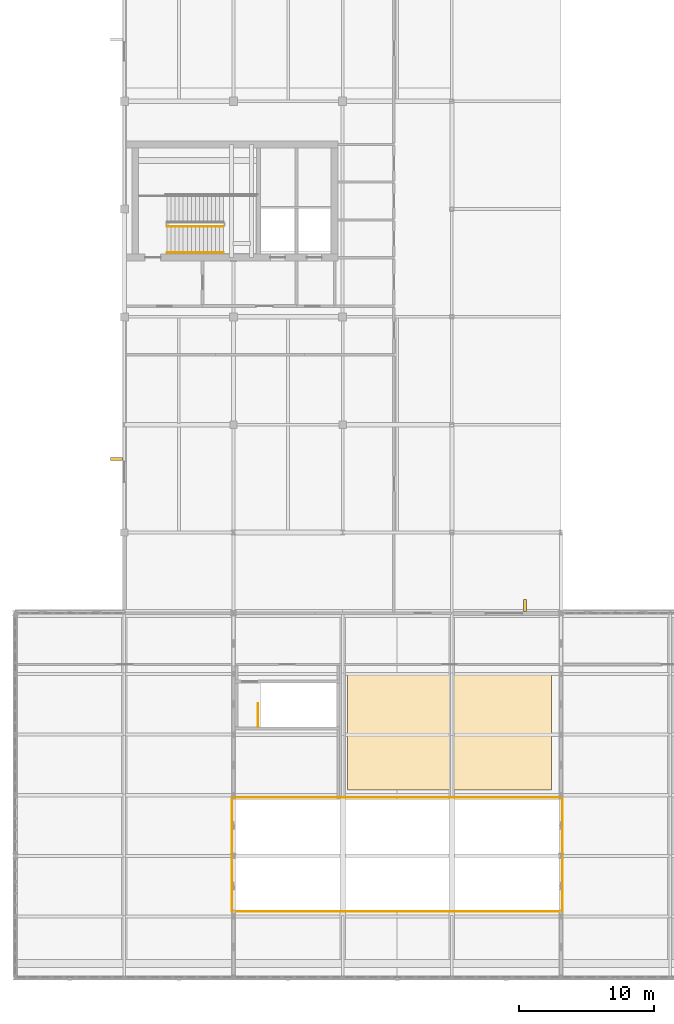
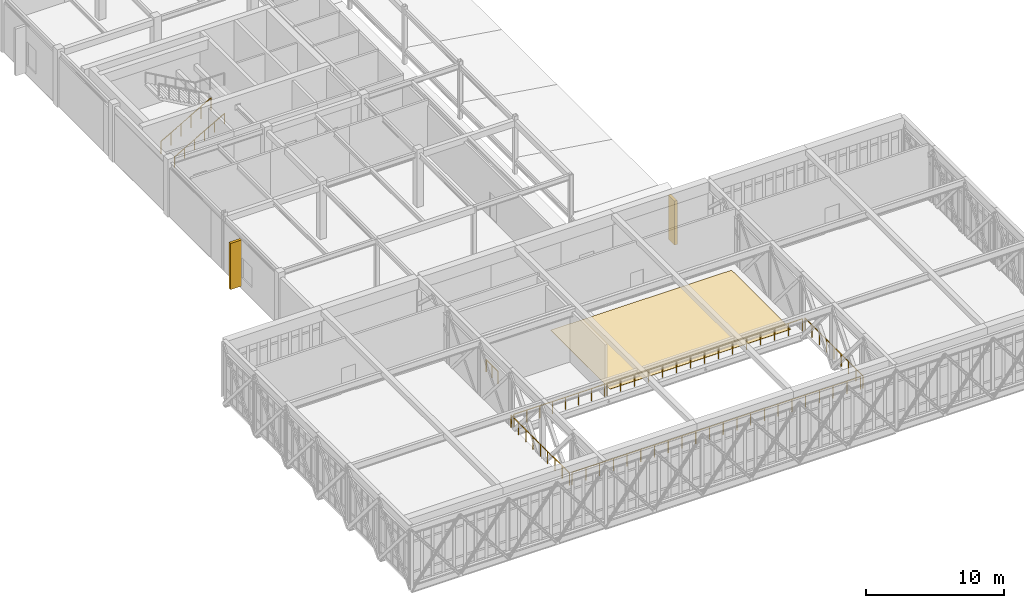
# One storey, part 66 of 70: 8 railings, 2 shading devices, 1 covering.
"""IFC4 building model written with IfcOpenShell, lengths in metres."""

from ifc_helpers import new_model, si_unit, direction, frame, origin, origin_2d, place, context, subcontext, project, spatial, polyline, rectangle, circle, outline, extrude, material, layer, layer_set, material_profile, profile_set, type_object, element, save


model = new_model("IFC4")

# Units and contexts
model_context = context("Model", 3, precision=1e-05, world=origin(), true_north=direction((0.0, 1.0)))
body_context = subcontext(model_context, "Body", "Model", "MODEL_VIEW")
ifc_project = project(units=[si_unit("LENGTHUNIT", "METRE"), si_unit("AREAUNIT", "SQUARE_METRE"), si_unit("VOLUMEUNIT", "CUBIC_METRE"), si_unit("PLANEANGLEUNIT", "RADIAN"), si_unit("MASSUNIT", "GRAM", prefix="KILO")], contexts=[model_context])

# Site, building, storey
site_placement = place(None, origin())
site = spatial("IfcSite", under=ifc_project, at=site_placement, CompositionType="ELEMENT")
building_placement = place(site_placement, origin())
building = spatial("IfcBuilding", under=site, at=building_placement, Name="Tarnveldt Square Police Headquarters", CompositionType="ELEMENT")
storey_placement = place(building_placement, frame((0.0, 0.0, 19.800048828125)))
storey = spatial("IfcBuildingStorey", under=building, at=storey_placement, Name="L04", CompositionType="ELEMENT", Elevation=19.800048828125)

# Covering
ifc_material_1 = material(Name="Polished cementitious terrazzo flooring", Category="concrete")
ifc_layer = layer(ifc_material_1, 0.02490234375)
ifc_layer_set = layer_set([ifc_layer], Name="Polished cementitious terrazzo flooring")
covering_type = type_object("IfcCoveringType", Name="COV-FLR-25", PredefinedType="FLOORING", material=ifc_layer_set)
covering_placement = place(storey_placement, origin())
element("IfcCovering", 1, at=covering_placement, inside=storey, type_object=covering_type, Name="Dispatch Overlook Situation Briefing Room Terrazzo Finish Flooring", PredefinedType="FLOORING", context=body_context, shape_type="SweptSolid", body=[
    extrude(outline(polyline([(32.77001953125, 20.89990234375), (32.77001953125, 29.5), (47.89990234375, 29.5), (47.89990234375, 20.89990234375), (32.77001953125, 20.89990234375)])), origin(), (0.0, 0.0, 1.0), 0.02490234375),
])

# Railings
ifc_material_2 = material(Name="Steel 350W", Category="steel")
railing_type_1 = type_object("IfcRailingType", Name="RL-GR-1100", PredefinedType="GUARDRAIL", material=ifc_material_2)
railing_1_placement = place(storey_placement, frame((19.3701171875, 62.719970703125, 0.169921875)))
element("IfcRailing", 2, at=railing_1_placement, inside=storey, type_object=railing_type_1, Name="L04 ST1 stair guard 1", PredefinedType="GUARDRAIL", context=body_context, shape_type="SweptSolid", body=[
    extrude(circle(Radius=0.02392578125, at=origin_2d()), frame((0.0, 0.0, 1.076171875), z_axis=(0.870008446991, 0.0, 0.493036816236), x_axis=(0.0, 1.0, 0.0)), (0.0, 0.0, 1.0), 4.827392578125),
    extrude(circle(Radius=0.02099609375, at=origin_2d()), origin(), (0.0, 0.0, 1.0), 1.052001953125),
    extrude(circle(Radius=0.02099609375, at=origin_2d()), frame((0.840087890625, 0.0, 0.47607421875)), (0.0, 0.0, 1.0), 1.052001953125),
    extrude(circle(Radius=0.02099609375, at=origin_2d()), frame((1.679931640625, 0.0, 0.9521484375)), (0.0, 0.0, 1.0), 1.052001953125),
    extrude(circle(Radius=0.02099609375, at=origin_2d()), frame((2.52001953125, 0.0, 1.427978515625)), (0.0, 0.0, 1.0), 1.052001953125),
    extrude(circle(Radius=0.02099609375, at=origin_2d()), frame((3.35986328125, 0.0, 1.904052734375)), (0.0, 0.0, 1.0), 1.052001953125),
    extrude(circle(Radius=0.02099609375, at=origin_2d()), frame((4.199951171875, 0.0, 2.380126953125)), (0.0, 0.0, 1.0), 1.052001953125),
])
railing_2_placement = place(storey_placement, frame((26.1201171875, 25.580078125, 0.0)))
element("IfcRailing", 3, at=railing_2_placement, inside=storey, type_object=railing_type_1, Name="L04 ST6 top well guard 1", PredefinedType="GUARDRAIL", context=body_context, shape_type="SweptSolid", body=[
    extrude(circle(Radius=0.02392578125, at=origin_2d()), frame((0.0, 0.0, 1.076171875), z_axis=(0.0, 1.0, 0.0), x_axis=(-1.0, 0.0, 0.0)), (0.0, 0.0, 1.0), 1.719970703125),
    extrude(circle(Radius=0.02099609375, at=origin_2d()), origin(), (0.0, 0.0, 1.0), 1.052001953125),
    extrude(circle(Radius=0.02099609375, at=origin_2d()), frame((0.0, 0.85986328125, 0.0)), (0.0, 0.0, 1.0), 1.052001953125),
    extrude(circle(Radius=0.02099609375, at=origin_2d()), frame((0.0, 1.719970703125, 0.0)), (0.0, 0.0, 1.0), 1.052001953125),
])
railing_3_placement = place(storey_placement, frame((24.389892578125, 11.8798828125, 0.0)))
element("IfcRailing", 4, at=railing_3_placement, inside=storey, type_object=railing_type_1, Name="L04 V2-OVERLOOK Atrium Overlook Guardrail S2", PredefinedType="GUARDRAIL", context=body_context, shape_type="SweptSolid", body=[
    extrude(circle(Radius=0.02392578125, at=origin_2d()), frame((0.0, 0.0, 1.076171875), z_axis=(1.0, 0.0, 0.0), x_axis=(0.0, 1.0, 0.0)), (0.0, 0.0, 1.0), 24.1201171875),
    extrude(circle(Radius=0.02099609375, at=origin_2d()), origin(), (0.0, 0.0, 1.0), 1.052001953125),
    extrude(circle(Radius=0.02099609375, at=origin_2d()), frame((1.148681640625, 0.0, 0.0)), (0.0, 0.0, 1.0), 1.052001953125),
    extrude(circle(Radius=0.02099609375, at=origin_2d()), frame((2.297119140625, 0.0, 0.0)), (0.0, 0.0, 1.0), 1.052001953125),
    extrude(circle(Radius=0.02099609375, at=origin_2d()), frame((3.44580078125, 0.0, 0.0)), (0.0, 0.0, 1.0), 1.052001953125),
    extrude(circle(Radius=0.02099609375, at=origin_2d()), frame((4.59423828125, 0.0, 0.0)), (0.0, 0.0, 1.0), 1.052001953125),
    extrude(circle(Radius=0.02099609375, at=origin_2d()), frame((5.742919921875, 0.0, 0.0)), (0.0, 0.0, 1.0), 1.052001953125),
    extrude(circle(Radius=0.02099609375, at=origin_2d()), frame((6.891357421875, 0.0, 0.0)), (0.0, 0.0, 1.0), 1.052001953125),
    extrude(circle(Radius=0.02099609375, at=origin_2d()), frame((8.0400390625, 0.0, 0.0)), (0.0, 0.0, 1.0), 1.052001953125),
    extrude(circle(Radius=0.02099609375, at=origin_2d()), frame((9.188720703125, 0.0, 0.0)), (0.0, 0.0, 1.0), 1.052001953125),
    extrude(circle(Radius=0.02099609375, at=origin_2d()), frame((10.337158203125, 0.0, 0.0)), (0.0, 0.0, 1.0), 1.052001953125),
    extrude(circle(Radius=0.02099609375, at=origin_2d()), frame((11.48583984375, 0.0, 0.0)), (0.0, 0.0, 1.0), 1.052001953125),
    extrude(circle(Radius=0.02099609375, at=origin_2d()), frame((12.63427734375, 0.0, 0.0)), (0.0, 0.0, 1.0), 1.052001953125),
    extrude(circle(Radius=0.02099609375, at=origin_2d()), frame((13.782958984375, 0.0, 0.0)), (0.0, 0.0, 1.0), 1.052001953125),
    extrude(circle(Radius=0.02099609375, at=origin_2d()), frame((14.931396484375, 0.0, 0.0)), (0.0, 0.0, 1.0), 1.052001953125),
    extrude(circle(Radius=0.02099609375, at=origin_2d()), frame((16.080078125, 0.0, 0.0)), (0.0, 0.0, 1.0), 1.052001953125),
    extrude(circle(Radius=0.02099609375, at=origin_2d()), frame((17.228759765625, 0.0, 0.0)), (0.0, 0.0, 1.0), 1.052001953125),
    extrude(circle(Radius=0.02099609375, at=origin_2d()), frame((18.377197265625, 0.0, 0.0)), (0.0, 0.0, 1.0), 1.052001953125),
    extrude(circle(Radius=0.02099609375, at=origin_2d()), frame((19.52587890625, 0.0, 0.0)), (0.0, 0.0, 1.0), 1.052001953125),
    extrude(circle(Radius=0.02099609375, at=origin_2d()), frame((20.67431640625, 0.0, 0.0)), (0.0, 0.0, 1.0), 1.052001953125),
    extrude(circle(Radius=0.02099609375, at=origin_2d()), frame((21.822998046875, 0.0, 0.0)), (0.0, 0.0, 1.0), 1.052001953125),
    extrude(circle(Radius=0.02099609375, at=origin_2d()), frame((22.971435546875, 0.0, 0.0)), (0.0, 0.0, 1.0), 1.052001953125),
    extrude(circle(Radius=0.02099609375, at=origin_2d()), frame((24.1201171875, 0.0, 0.0)), (0.0, 0.0, 1.0), 1.052001953125),
])
railing_4_placement = place(storey_placement, frame((48.719970703125, 11.8798828125, 0.0)))
element("IfcRailing", 5, at=railing_4_placement, inside=storey, type_object=railing_type_1, Name="L04 V2-OVERLOOK Atrium Overlook Guardrail E1", PredefinedType="GUARDRAIL", context=body_context, shape_type="SweptSolid", body=[
    extrude(circle(Radius=0.02392578125, at=origin_2d()), frame((0.0, 0.0, 1.076171875), z_axis=(0.0, 1.0, 0.0), x_axis=(-1.0, 0.0, 0.0)), (0.0, 0.0, 1.0), 8.440185546875),
    extrude(circle(Radius=0.02099609375, at=origin_2d()), origin(), (0.0, 0.0, 1.0), 1.052001953125),
    extrude(circle(Radius=0.02099609375, at=origin_2d()), frame((0.0, 1.054931640625, 0.0)), (0.0, 0.0, 1.0), 1.052001953125),
    extrude(circle(Radius=0.02099609375, at=origin_2d()), frame((0.0, 2.110107421875, 0.0)), (0.0, 0.0, 1.0), 1.052001953125),
    extrude(circle(Radius=0.02099609375, at=origin_2d()), frame((0.0, 3.1650390625, 0.0)), (0.0, 0.0, 1.0), 1.052001953125),
    extrude(circle(Radius=0.02099609375, at=origin_2d()), frame((0.0, 4.22021484375, 0.0)), (0.0, 0.0, 1.0), 1.052001953125),
    extrude(circle(Radius=0.02099609375, at=origin_2d()), frame((0.0, 5.275146484375, 0.0)), (0.0, 0.0, 1.0), 1.052001953125),
    extrude(circle(Radius=0.02099609375, at=origin_2d()), frame((0.0, 6.330078125, 0.0)), (0.0, 0.0, 1.0), 1.052001953125),
    extrude(circle(Radius=0.02099609375, at=origin_2d()), frame((0.0, 7.38525390625, 0.0)), (0.0, 0.0, 1.0), 1.052001953125),
    extrude(circle(Radius=0.02099609375, at=origin_2d()), frame((0.0, 8.440185546875, 0.0)), (0.0, 0.0, 1.0), 1.052001953125),
])
railing_5_placement = place(storey_placement, frame((48.510009765625, 20.320068359375, 0.0)))
element("IfcRailing", 6, at=railing_5_placement, inside=storey, type_object=railing_type_1, Name="L04 V2-OVERLOOK Atrium Overlook Guardrail N2", PredefinedType="GUARDRAIL", context=body_context, shape_type="SweptSolid", body=[
    extrude(circle(Radius=0.02392578125, at=origin_2d()), frame((0.0, 0.0, 1.076171875), z_axis=(-1.0, 0.0, 0.0), x_axis=(0.0, -1.0, 0.0)), (0.0, 0.0, 1.0), 16.35009765625),
    extrude(circle(Radius=0.02099609375, at=origin_2d()), origin(), (0.0, 0.0, 1.0), 1.052001953125),
    extrude(circle(Radius=0.02099609375, at=origin_2d()), frame((-1.16796875, 0.0, 0.0)), (0.0, 0.0, 1.0), 1.052001953125),
    extrude(circle(Radius=0.02099609375, at=origin_2d()), frame((-2.335693359375, 0.0, 0.0)), (0.0, 0.0, 1.0), 1.052001953125),
    extrude(circle(Radius=0.02099609375, at=origin_2d()), frame((-3.503662109375, 0.0, 0.0)), (0.0, 0.0, 1.0), 1.052001953125),
    extrude(circle(Radius=0.02099609375, at=origin_2d()), frame((-4.67138671875, 0.0, 0.0)), (0.0, 0.0, 1.0), 1.052001953125),
    extrude(circle(Radius=0.02099609375, at=origin_2d()), frame((-5.83935546875, 0.0, 0.0)), (0.0, 0.0, 1.0), 1.052001953125),
    extrude(circle(Radius=0.02099609375, at=origin_2d()), frame((-7.007080078125, 0.0, 0.0)), (0.0, 0.0, 1.0), 1.052001953125),
    extrude(circle(Radius=0.02099609375, at=origin_2d()), frame((-8.175048828125, 0.0, 0.0)), (0.0, 0.0, 1.0), 1.052001953125),
    extrude(circle(Radius=0.02099609375, at=origin_2d()), frame((-9.343017578125, 0.0, 0.0)), (0.0, 0.0, 1.0), 1.052001953125),
    extrude(circle(Radius=0.02099609375, at=origin_2d()), frame((-10.5107421875, 0.0, 0.0)), (0.0, 0.0, 1.0), 1.052001953125),
    extrude(circle(Radius=0.02099609375, at=origin_2d()), frame((-11.6787109375, 0.0, 0.0)), (0.0, 0.0, 1.0), 1.052001953125),
    extrude(circle(Radius=0.02099609375, at=origin_2d()), frame((-12.846435546875, 0.0, 0.0)), (0.0, 0.0, 1.0), 1.052001953125),
    extrude(circle(Radius=0.02099609375, at=origin_2d()), frame((-14.014404296875, 0.0, 0.0)), (0.0, 0.0, 1.0), 1.052001953125),
    extrude(circle(Radius=0.02099609375, at=origin_2d()), frame((-15.18212890625, 0.0, 0.0)), (0.0, 0.0, 1.0), 1.052001953125),
    extrude(circle(Radius=0.02099609375, at=origin_2d()), frame((-16.35009765625, 0.0, 0.0)), (0.0, 0.0, 1.0), 1.052001953125),
])
railing_6_placement = place(storey_placement, frame((31.97998046875, 20.320068359375, 0.0)))
element("IfcRailing", 7, at=railing_6_placement, inside=storey, type_object=railing_type_1, Name="L04 V2-OVERLOOK Atrium Overlook Guardrail N3", PredefinedType="GUARDRAIL", context=body_context, shape_type="SweptSolid", body=[
    extrude(circle(Radius=0.02392578125, at=origin_2d()), frame((0.0, 0.0, 1.076171875), z_axis=(-1.0, 0.0, 0.0), x_axis=(0.0, -1.0, 0.0)), (0.0, 0.0, 1.0), 7.590087890625),
    extrude(circle(Radius=0.02099609375, at=origin_2d()), origin(), (0.0, 0.0, 1.0), 1.052001953125),
    extrude(circle(Radius=0.02099609375, at=origin_2d()), frame((-1.084228515625, 0.0, 0.0)), (0.0, 0.0, 1.0), 1.052001953125),
    extrude(circle(Radius=0.02099609375, at=origin_2d()), frame((-2.168701171875, 0.0, 0.0)), (0.0, 0.0, 1.0), 1.052001953125),
    extrude(circle(Radius=0.02099609375, at=origin_2d()), frame((-3.2529296875, 0.0, 0.0)), (0.0, 0.0, 1.0), 1.052001953125),
    extrude(circle(Radius=0.02099609375, at=origin_2d()), frame((-4.337158203125, 0.0, 0.0)), (0.0, 0.0, 1.0), 1.052001953125),
    extrude(circle(Radius=0.02099609375, at=origin_2d()), frame((-5.42138671875, 0.0, 0.0)), (0.0, 0.0, 1.0), 1.052001953125),
    extrude(circle(Radius=0.02099609375, at=origin_2d()), frame((-6.505859375, 0.0, 0.0)), (0.0, 0.0, 1.0), 1.052001953125),
    extrude(circle(Radius=0.02099609375, at=origin_2d()), frame((-7.590087890625, 0.0, 0.0)), (0.0, 0.0, 1.0), 1.052001953125),
])
railing_7_placement = place(storey_placement, frame((24.179931640625, 20.320068359375, 0.0)))
element("IfcRailing", 8, at=railing_7_placement, inside=storey, type_object=railing_type_1, Name="L04 V2-OVERLOOK Atrium Overlook Guardrail W1", PredefinedType="GUARDRAIL", context=body_context, shape_type="SweptSolid", body=[
    extrude(circle(Radius=0.02392578125, at=origin_2d()), frame((0.0, 0.0, 1.076171875), z_axis=(0.0, -1.0, 0.0), x_axis=(1.0, 0.0, 0.0)), (0.0, 0.0, 1.0), 8.440185546875),
    extrude(circle(Radius=0.02099609375, at=origin_2d()), origin(), (0.0, 0.0, 1.0), 1.052001953125),
    extrude(circle(Radius=0.02099609375, at=origin_2d()), frame((0.0, -1.054931640625, 0.0)), (0.0, 0.0, 1.0), 1.052001953125),
    extrude(circle(Radius=0.02099609375, at=origin_2d()), frame((0.0, -2.110107421875, 0.0)), (0.0, 0.0, 1.0), 1.052001953125),
    extrude(circle(Radius=0.02099609375, at=origin_2d()), frame((0.0, -3.1650390625, 0.0)), (0.0, 0.0, 1.0), 1.052001953125),
    extrude(circle(Radius=0.02099609375, at=origin_2d()), frame((0.0, -4.22021484375, 0.0)), (0.0, 0.0, 1.0), 1.052001953125),
    extrude(circle(Radius=0.02099609375, at=origin_2d()), frame((0.0, -5.275146484375, 0.0)), (0.0, 0.0, 1.0), 1.052001953125),
    extrude(circle(Radius=0.02099609375, at=origin_2d()), frame((0.0, -6.330078125, 0.0)), (0.0, 0.0, 1.0), 1.052001953125),
    extrude(circle(Radius=0.02099609375, at=origin_2d()), frame((0.0, -7.38525390625, 0.0)), (0.0, 0.0, 1.0), 1.052001953125),
    extrude(circle(Radius=0.02099609375, at=origin_2d()), frame((0.0, -8.440185546875, 0.0)), (0.0, 0.0, 1.0), 1.052001953125),
])
railing_type_2 = type_object("IfcRailingType", Name="RL-HR-900", PredefinedType="HANDRAIL", material=ifc_material_2)
railing_8_placement = place(storey_placement, frame((19.3701171875, 60.77001953125, 0.169921875)))
element("IfcRailing", 9, at=railing_8_placement, inside=storey, type_object=railing_type_2, Name="L04 ST1 stair handrail 1", PredefinedType="HANDRAIL", context=body_context, shape_type="SweptSolid", body=[
    extrude(circle(Radius=0.02392578125, at=origin_2d()), frame((0.0, 0.0, 0.8759765625), z_axis=(0.870008446991, 0.0, 0.493036816236), x_axis=(0.0, 1.0, 0.0)), (0.0, 0.0, 1.0), 4.827392578125),
    extrude(circle(Radius=0.02099609375, at=origin_2d()), origin(), (0.0, 0.0, 1.0), 0.851806640625),
    extrude(circle(Radius=0.02099609375, at=origin_2d()), frame((0.840087890625, 0.0, 0.47607421875)), (0.0, 0.0, 1.0), 0.851806640625),
    extrude(circle(Radius=0.02099609375, at=origin_2d()), frame((1.679931640625, 0.0, 0.9521484375)), (0.0, 0.0, 1.0), 0.851806640625),
    extrude(circle(Radius=0.02099609375, at=origin_2d()), frame((2.52001953125, 0.0, 1.427978515625)), (0.0, 0.0, 1.0), 0.851806640625),
    extrude(circle(Radius=0.02099609375, at=origin_2d()), frame((3.35986328125, 0.0, 1.904052734375)), (0.0, 0.0, 1.0), 0.851806640625),
    extrude(circle(Radius=0.02099609375, at=origin_2d()), frame((4.199951171875, 0.0, 2.380126953125)), (0.0, 0.0, 1.0), 0.851806640625),
])

# Shading devices
ifc_material_3 = material(Name="Precast concrete 35 MPa", Category="concrete")
ifc_material_profile = material_profile(ifc_material_3, rectangle(XDim=0.219970703125, YDim=0.89990234375, at=origin_2d()), Name="PC-FIN220x900")
ifc_profile_set = profile_set([ifc_material_profile], Name="Precast concrete 35 MPa")
shading_device_type = type_object("IfcShadingDeviceType", Name="SHD-FIN-900", PredefinedType="USERDEFINED", material=ifc_profile_set)
shading_device_1_placement = place(storey_placement, frame((45.919921875, 34.580078125, 0.14990234375), z_axis=(0.0, 0.0, 1.0), x_axis=(-1.0, 0.0, 0.0)))
element("IfcShadingDevice", 10, at=shading_device_1_placement, inside=storey, type_object=shading_device_type, Name="L04 Precast Deep-Reveal Brutalist Fin 045", ObjectType="SOLAR SHADING FIN", PredefinedType="USERDEFINED", context=body_context, shape_type="SweptSolid", body=[
    extrude(rectangle(XDim=0.219970703125, YDim=0.89990234375, at=origin_2d()), origin(), (0.0, 0.0, 1.0), 3.89208984375),
])
shading_device_2_placement = place(storey_placement, frame((15.6201171875, 45.444091796875, 0.14990234375), z_axis=(0.0, 0.0, 1.0), x_axis=(0.0, -1.0, 0.0)))
element("IfcShadingDevice", 11, at=shading_device_2_placement, inside=storey, type_object=shading_device_type, Name="L04 Precast Deep-Reveal Brutalist Fin 048", ObjectType="SOLAR SHADING FIN", PredefinedType="USERDEFINED", context=body_context, shape_type="SweptSolid", body=[
    extrude(rectangle(XDim=0.219970703125, YDim=0.89990234375, at=origin_2d()), origin(), (0.0, 0.0, 1.0), 4.089111328125),
])

save(model, "model.ifc")
